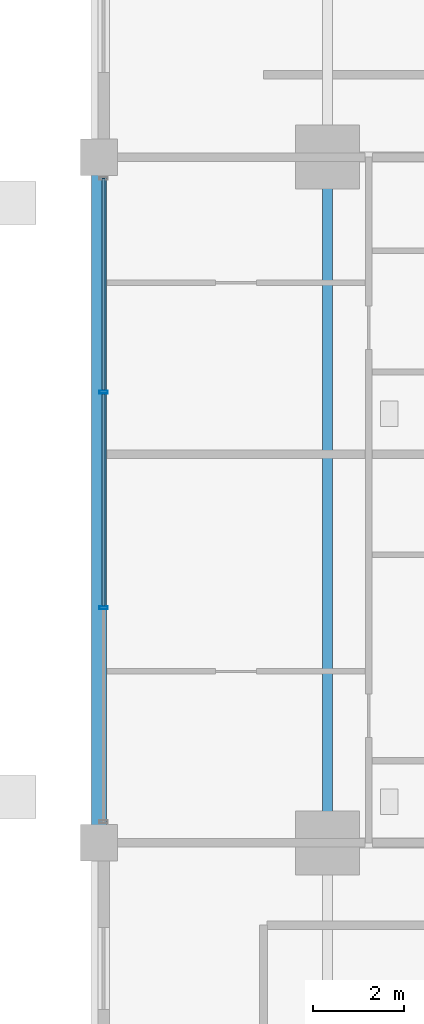
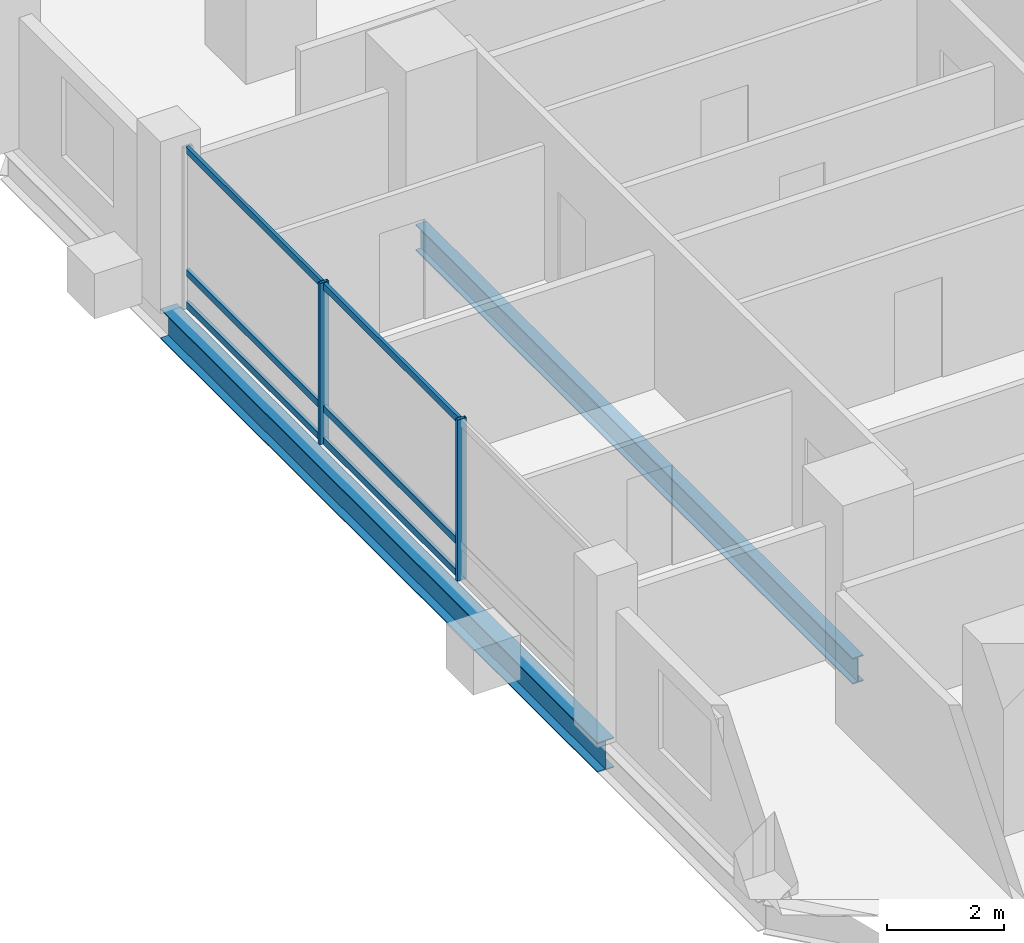
# One storey, part 6 of 23: 8 members, 2 beams, 1 element without a shape of its own.
"""IFC4 building model written with IfcOpenShell, lengths in metres."""

from ifc_helpers import new_model, si_unit, direction, frame, origin, origin_2d, place, context, subcontext, project, spatial, hollow_rectangle, i_section, extrude, material, layer, layer_set, material_profile, profile_set, type_object, element, aggregate, save


model = new_model("IFC4")

# Units and contexts
model_context = context("Model", 3, precision=1e-05, world=origin(), true_north=direction((0.0, 1.0)))
body_context = subcontext(model_context, "Body", "Model", "MODEL_VIEW")
ifc_project = project(units=[si_unit("LENGTHUNIT", "METRE"), si_unit("AREAUNIT", "SQUARE_METRE"), si_unit("VOLUMEUNIT", "CUBIC_METRE"), si_unit("PLANEANGLEUNIT", "RADIAN"), si_unit("MASSUNIT", "GRAM", prefix="KILO")], contexts=[model_context])

# Site, building, storey
site_placement = place(None, origin())
site = spatial("IfcSite", under=ifc_project, at=site_placement, CompositionType="ELEMENT")
building_placement = place(site_placement, origin())
building = spatial("IfcBuilding", under=site, at=building_placement, Name="Barlavira Tower and Art Museum", CompositionType="ELEMENT")
storey_placement = place(building_placement, frame((0.0, 0.0, 54.0)))
storey = spatial("IfcBuildingStorey", under=building, at=storey_placement, Name="L12", CompositionType="ELEMENT", Elevation=54.0)

# Curtain wall, members
ifc_material_1 = material(Name="Low-iron coastal laminated glass", Category="glass")
ifc_layer = layer(ifc_material_1, 0.179931640625, Name="Low-iron coastal laminated glass")
ifc_layer_set = layer_set([ifc_layer], Name="Low-iron coastal laminated glass")
curtain_wall_type = type_object("IfcCurtainWallType", Name="Pale-Metal Unitised Curtain Wall Zone 1", PredefinedType="NOTDEFINED", material=ifc_layer_set)
curtain_wall_placement = place(storey_placement, origin())
curtain_wall = element("IfcCurtainWall", 1, at=curtain_wall_placement, inside=storey, type_object=curtain_wall_type, Name="L12 Curtain Wall CW1-L12-W-B3", PredefinedType="NOTDEFINED")
ifc_material_2 = material(Name="Pale anodised aluminium", Category="aluminium")
ifc_material_profile_1 = material_profile(ifc_material_2, hollow_rectangle(XDim=0.06494140625, YDim=0.179931640625, WallThickness=0.00390625, at=origin_2d()), Name="ALU-MULL 65x180x4")
ifc_profile_set_1 = profile_set([ifc_material_profile_1], Name="Pale anodised aluminium")
member_type_1 = type_object("IfcMemberType", Name="Curtain Wall Pale-Metal Mullion 65x180", PredefinedType="MULLION", material=ifc_profile_set_1)
member_1_placement = place(storey_placement, frame((-21.89990234375, 2.360107421875, 0.0), z_axis=(0.0, 0.0, 1.0), x_axis=(0.0, -1.0, 0.0)))
member_1 = element("IfcMember", 2, at=member_1_placement, type_object=member_type_1, Name="CW1-L12-W-B3 Mullion 1", PredefinedType="MULLION", context=body_context, shape_type="SweptSolid", body=[
    extrude(hollow_rectangle(XDim=0.06494140625, YDim=0.179931640625, WallThickness=0.00390625, at=origin_2d()), origin(), (0.0, 0.0, 1.0), 3.3798828125),
])
member_2_placement = place(storey_placement, frame((-21.89990234375, -2.360107421875, 0.0), z_axis=(0.0, 0.0, 1.0), x_axis=(0.0, -1.0, 0.0)))
member_2 = element("IfcMember", 3, at=member_2_placement, type_object=member_type_1, Name="CW1-L12-W-B3 Mullion 2", PredefinedType="MULLION", context=body_context, shape_type="SweptSolid", body=[
    extrude(hollow_rectangle(XDim=0.06494140625, YDim=0.179931640625, WallThickness=0.00390625, at=origin_2d()), origin(), (0.0, 0.0, 1.0), 3.3798828125),
])
ifc_material_profile_2 = material_profile(ifc_material_2, hollow_rectangle(XDim=0.06494140625, YDim=0.139892578125, WallThickness=0.00390625, at=origin_2d()), Name="ALU-TRAN 65x140x4")
ifc_profile_set_2 = profile_set([ifc_material_profile_2], Name="Pale anodised aluminium")
member_type_2 = type_object("IfcMemberType", Name="Curtain Wall Pale-Metal Transom 65x140", PredefinedType="USERDEFINED", material=ifc_profile_set_2)
member_3_placement = place(storey_placement, frame((-21.89990234375, 7.034912109375, 0.070068359375), z_axis=(0.0, -1.0, 0.0), x_axis=(1.0, 0.0, 0.0)))
member_3 = element("IfcMember", 4, at=member_3_placement, type_object=member_type_2, Name="CW1-L12-W-B3 Transom 0.1", ObjectType="TRANSOM", PredefinedType="USERDEFINED", context=body_context, shape_type="SweptSolid", body=[
    extrude(hollow_rectangle(XDim=0.06494140625, YDim=0.139892578125, WallThickness=0.00390625, at=origin_2d()), origin(), (0.0, 0.0, 1.0), 4.6298828125),
])
member_4_placement = place(storey_placement, frame((-21.89990234375, 7.034912109375, 0.743896484375), z_axis=(0.0, -1.0, 0.0), x_axis=(1.0, 0.0, 0.0)))
member_4 = element("IfcMember", 5, at=member_4_placement, type_object=member_type_2, Name="CW1-L12-W-B3 Transom 0.2", ObjectType="TRANSOM", PredefinedType="USERDEFINED", context=body_context, shape_type="SweptSolid", body=[
    extrude(hollow_rectangle(XDim=0.06494140625, YDim=0.139892578125, WallThickness=0.00390625, at=origin_2d()), origin(), (0.0, 0.0, 1.0), 4.6298828125),
])
member_5_placement = place(storey_placement, frame((-21.89990234375, 7.034912109375, 3.31005859375), z_axis=(0.0, -1.0, 0.0), x_axis=(1.0, 0.0, 0.0)))
member_5 = element("IfcMember", 6, at=member_5_placement, type_object=member_type_2, Name="CW1-L12-W-B3 Transom 0.3", ObjectType="TRANSOM", PredefinedType="USERDEFINED", context=body_context, shape_type="SweptSolid", body=[
    extrude(hollow_rectangle(XDim=0.06494140625, YDim=0.139892578125, WallThickness=0.00390625, at=origin_2d()), origin(), (0.0, 0.0, 1.0), 4.6298828125),
])
member_6_placement = place(storey_placement, frame((-21.89990234375, 2.31494140625, 0.070068359375), z_axis=(0.0, -1.0, 0.0), x_axis=(1.0, 0.0, 0.0)))
member_6 = element("IfcMember", 7, at=member_6_placement, type_object=member_type_2, Name="CW1-L12-W-B3 Transom 1.1", ObjectType="TRANSOM", PredefinedType="USERDEFINED", context=body_context, shape_type="SweptSolid", body=[
    extrude(hollow_rectangle(XDim=0.06494140625, YDim=0.139892578125, WallThickness=0.00390625, at=origin_2d()), origin(), (0.0, 0.0, 1.0), 4.6298828125),
])
member_7_placement = place(storey_placement, frame((-21.89990234375, 2.31494140625, 0.743896484375), z_axis=(0.0, -1.0, 0.0), x_axis=(1.0, 0.0, 0.0)))
member_7 = element("IfcMember", 8, at=member_7_placement, type_object=member_type_2, Name="CW1-L12-W-B3 Transom 1.2", ObjectType="TRANSOM", PredefinedType="USERDEFINED", context=body_context, shape_type="SweptSolid", body=[
    extrude(hollow_rectangle(XDim=0.06494140625, YDim=0.139892578125, WallThickness=0.00390625, at=origin_2d()), origin(), (0.0, 0.0, 1.0), 4.6298828125),
])
member_8_placement = place(storey_placement, frame((-21.89990234375, 2.31494140625, 3.31005859375), z_axis=(0.0, -1.0, 0.0), x_axis=(1.0, 0.0, 0.0)))
member_8 = element("IfcMember", 9, at=member_8_placement, type_object=member_type_2, Name="CW1-L12-W-B3 Transom 1.3", ObjectType="TRANSOM", PredefinedType="USERDEFINED", context=body_context, shape_type="SweptSolid", body=[
    extrude(hollow_rectangle(XDim=0.06494140625, YDim=0.139892578125, WallThickness=0.00390625, at=origin_2d()), origin(), (0.0, 0.0, 1.0), 4.6298828125),
])
aggregate(curtain_wall, [member_1, member_2, member_3, member_4, member_5, member_6, member_7, member_8])

# Beams
ifc_material_3 = material(Name="Steel S355", Category="steel")
ifc_material_profile_3 = material_profile(ifc_material_3, i_section(OverallWidth=0.327880859375, OverallDepth=0.62890625, WebThickness=0.013916015625, FlangeThickness=0.021484375, at=origin_2d()), Name="W610x174.0")
ifc_profile_set_3 = profile_set([ifc_material_profile_3], Name="Steel S355")
beam_type_1 = type_object("IfcBeamType", Name="Perimeter Spandrel Edge Beam W610x174 Steel S355", PredefinedType="SPANDREL", material=ifc_profile_set_3)
beam_1_placement = place(storey_placement, frame((-22.0, -7.5, -0.534423828125), z_axis=(0.0, 1.0, 0.0), x_axis=(-1.0, 0.0, 0.0)))
element("IfcBeam", 10, at=beam_1_placement, inside=storey, type_object=beam_type_1, Name="L12 Spandrel 14", PredefinedType="SPANDREL", context=body_context, shape_type="SweptSolid", body=[
    extrude(i_section(OverallWidth=0.327880859375, OverallDepth=0.62890625, WebThickness=0.013916015625, FlangeThickness=0.021484375, at=origin_2d()), origin(), (0.0, 0.0, 1.0), 15.0),
])
ifc_material_profile_4 = material_profile(ifc_material_3, i_section(OverallWidth=0.214111328125, OverallDepth=0.549072265625, WebThickness=0.0146484375, FlangeThickness=0.023681640625, at=origin_2d()), Name="W530x138.0")
ifc_profile_set_4 = profile_set([ifc_material_profile_4], Name="Steel S355")
beam_type_2 = type_object("IfcBeamType", Name="Zone 1 Primary Floor Girder W530x138 Steel S355", PredefinedType="BEAM", material=ifc_profile_set_4)
beam_2_placement = place(storey_placement, frame((-17.0, -7.5, -0.494384765625), z_axis=(0.0, 1.0, 0.0), x_axis=(-1.0, 0.0, 0.0)))
element("IfcBeam", 11, at=beam_2_placement, inside=storey, type_object=beam_type_2, Name="L12 Girder M-W2", PredefinedType="BEAM", context=body_context, shape_type="SweptSolid", body=[
    extrude(i_section(OverallWidth=0.214111328125, OverallDepth=0.549072265625, WebThickness=0.0146484375, FlangeThickness=0.023681640625, at=origin_2d()), origin(), (0.0, 0.0, 1.0), 15.0),
])

save(model, "model.ifc")
